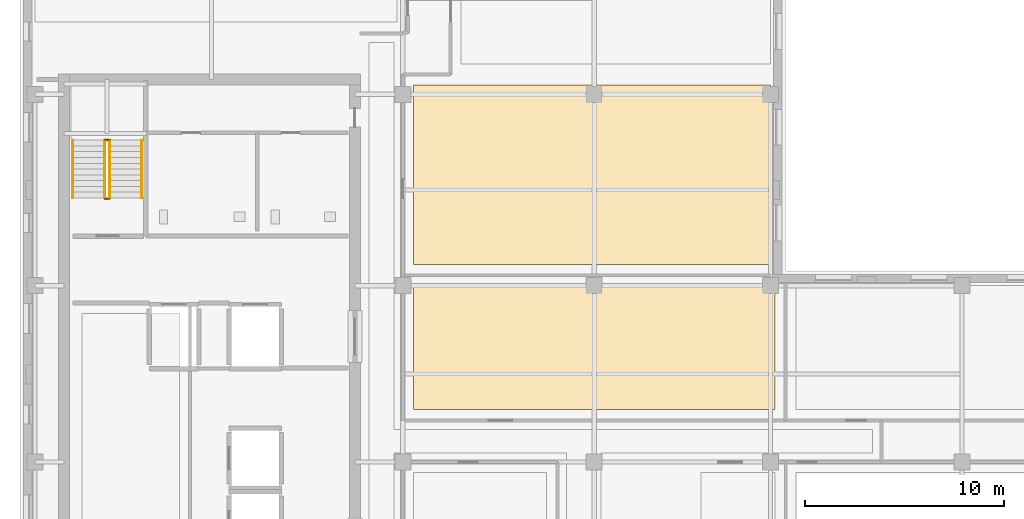
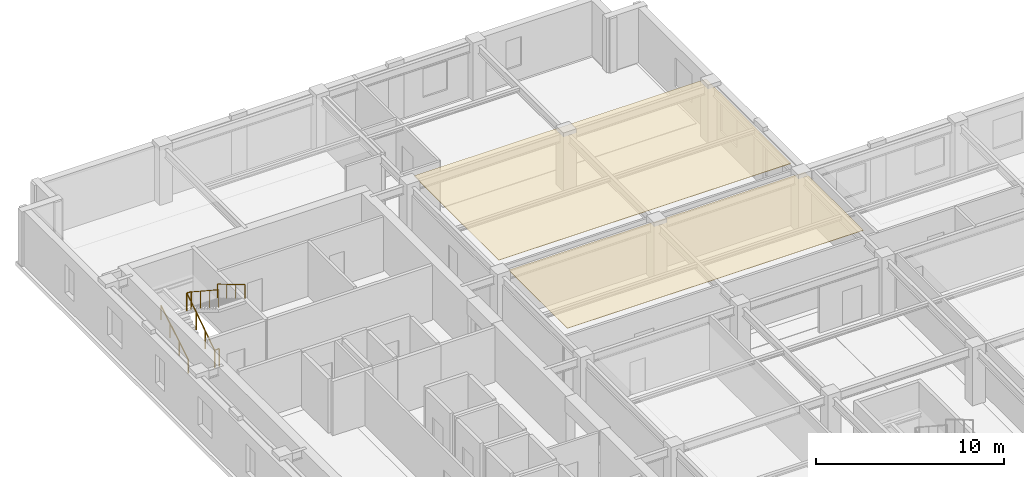
# One storey, part 10 of 12: 6 railings, 2 coverings.
"""IFC4 building model written with IfcOpenShell, lengths in metres."""

import ifcopenshell
import ifcopenshell.guid

model = None  # the IFC model being written
_history = None  # IfcOwnerHistory: only IFC2X3 demands one
_inside = {}  # id of a spatial element -> (the spatial element, [elements in it])
_under = {}  # id of a project, library or spatial element -> (it, [spatial elements below it])
_declared = {}  # id of a project -> (the project, [libraries it declares])
_typed = {}  # id of a type object -> (the type object, [elements of that type])
_made_of = {}  # id of a material, layer set ... -> (it, [elements and type objects made of it])


def new_model(schema):
    """Start an empty IFC model of exactly this schema.

    Asked for "IFC4X3", IfcOpenShell would pick the latest addendum, in which some entities
    have other attributes; the version numbers below select the first issue.
    IFC2X3 requires an IfcOwnerHistory on every rooted entity: one is made here for all.
    """
    global model, _history
    if schema == "IFC4X3":
        model = ifcopenshell.file(schema_version=(4, 3, 0, 0))
    else:
        model = ifcopenshell.file(schema=schema)
    _inside.clear()
    _under.clear()
    _declared.clear()
    _typed.clear()
    _made_of.clear()
    _history = None
    if model.schema == "IFC2X3":
        org = make("IfcOrganization", Name="unknown")
        user = make(
            "IfcPersonAndOrganization",
            ThePerson=make("IfcPerson", FamilyName="unknown"),
            TheOrganization=org,
        )
        app = make(
            "IfcApplication",
            ApplicationDeveloper=org,
            Version="unknown",
            ApplicationFullName="unknown",
            ApplicationIdentifier="unknown",
        )
        _history = make(
            "IfcOwnerHistory",
            OwningUser=user,
            OwningApplication=app,
            ChangeAction="ADDED",
            CreationDate=0,
        )
    return model


def make(cls, **values):
    """One entity of the class cls with the attributes given. An attribute that is None is left unset."""
    return model.create_entity(
        cls, **{name: value for name, value in values.items() if value is not None}
    )


def rooted(cls, **values):
    """An entity with a GlobalId (a new one), such as an element, a storey or a relation."""
    return make(cls, GlobalId=ifcopenshell.guid.new(), OwnerHistory=_history, **values)


def si_unit(unit_type, name, prefix=None):
    """IfcSIUnit, for example si_unit("LENGTHUNIT", "METRE", prefix="MILLI")."""
    return make("IfcSIUnit", UnitType=unit_type, Prefix=prefix, Name=name)


def assignment(units):
    """IfcUnitAssignment: the units of a project."""
    return None if units is None else make("IfcUnitAssignment", Units=units)


def point(xyz):
    """IfcCartesianPoint."""
    return None if xyz is None else make("IfcCartesianPoint", Coordinates=xyz)


def direction(xyz):
    """IfcDirection."""
    return None if xyz is None else make("IfcDirection", DirectionRatios=xyz)


def frame(location, z_axis=None, x_axis=None):
    """IfcAxis2Placement3D, a coordinate frame: its origin and axes. An axis left out is left unset."""
    return make(
        "IfcAxis2Placement3D",
        Location=point(location),
        Axis=direction(z_axis),
        RefDirection=direction(x_axis),
    )


def frame_2d(location, x_axis=None):
    """IfcAxis2Placement2D, a coordinate frame in the plane: its origin and x axis."""
    return make(
        "IfcAxis2Placement2D", Location=point(location), RefDirection=direction(x_axis)
    )


def origin():
    """The frame at (0, 0, 0) with its axes left unset."""
    return frame((0.0, 0.0, 0.0))


def origin_2d():
    """The frame at (0, 0) in the plane with its x axis left unset."""
    return frame_2d((0.0, 0.0))


def place(relative_to, where):
    """IfcLocalPlacement: puts the frame where relative to a parent placement (None: the world)."""
    return make(
        "IfcLocalPlacement", PlacementRelTo=relative_to, RelativePlacement=where
    )


def context(
    kind, dimensions, precision=None, world=None, true_north=None, identifier=None
):
    """IfcGeometricRepresentationContext, for example the 3D "Model" context."""
    return make(
        "IfcGeometricRepresentationContext",
        ContextIdentifier=identifier,
        ContextType=kind,
        CoordinateSpaceDimension=dimensions,
        Precision=precision,
        WorldCoordinateSystem=world,
        TrueNorth=true_north,
    )


def subcontext(parent, identifier, kind, view, scale=None):
    """IfcGeometricRepresentationSubContext, for example "Body" below "Model"."""
    return make(
        "IfcGeometricRepresentationSubContext",
        ContextIdentifier=identifier,
        ContextType=kind,
        ParentContext=parent,
        TargetScale=scale,
        TargetView=view,
    )


def project(units=None, contexts=None):
    """IfcProject with its units and contexts."""
    return rooted(
        "IfcProject",
        Name="project",
        RepresentationContexts=contexts,
        UnitsInContext=assignment(units),
    )


def spatial(cls, under=None, at=None, **own):
    """A site, building, storey or space (cls), placed at a placement, below another one or the project."""
    s = rooted(cls, ObjectPlacement=at, **own)
    if under is not None:
        _under.setdefault(under.id(), (under, []))[1].append(s)
    return s


def polyline(points):
    """IfcPolyline through the points."""
    return make("IfcPolyline", Points=[point(p) for p in points])


def profile(cls, at=None, kind="AREA", **sizes):
    """A parametric profile (cls). Its sizes go by their IFC names, for example OverallWidth=200.0."""
    return make(cls, ProfileType=kind, Position=at, **sizes)


def circle(**sizes):
    """IfcCircleProfileDef."""
    return profile("IfcCircleProfileDef", **sizes)


def outline(outer, holes=None, kind="AREA"):
    """IfcArbitraryClosedProfileDef: a profile drawn as a closed curve; with holes, ...WithVoids."""
    if holes is None:
        return make("IfcArbitraryClosedProfileDef", ProfileType=kind, OuterCurve=outer)
    return make(
        "IfcArbitraryProfileDefWithVoids",
        ProfileType=kind,
        OuterCurve=outer,
        InnerCurves=holes,
    )


def extrude(swept, where, along, depth):
    """IfcExtrudedAreaSolid: the profile swept, set in the frame where, extruded along a direction by depth."""
    return make(
        "IfcExtrudedAreaSolid",
        SweptArea=swept,
        Position=where,
        ExtrudedDirection=direction(along),
        Depth=depth,
    )


def shape(context_of_items, identifier, shape_type, items):
    """IfcShapeRepresentation: the items that make up one representation, for example the "Body"."""
    return make(
        "IfcShapeRepresentation",
        ContextOfItems=context_of_items,
        RepresentationIdentifier=identifier,
        RepresentationType=shape_type,
        Items=items,
    )


def material(Name=None, Category=None):
    """IfcMaterial."""
    return make("IfcMaterial", Name=Name, Category=Category)


def layer(
    of_material, thickness, ventilated=None, Name=None, Category=None, Priority=None
):
    """IfcMaterialLayer: one layer of a wall or slab, of a material (None: an air gap)."""
    return make(
        "IfcMaterialLayer",
        Material=of_material,
        LayerThickness=thickness,
        IsVentilated=ventilated,
        Name=Name,
        Category=Category,
        Priority=Priority,
    )


def layer_set(layers, Name=None):
    """IfcMaterialLayerSet."""
    return make("IfcMaterialLayerSet", MaterialLayers=layers, LayerSetName=Name)


def made_of(thing, what):
    """Note that an element or type object is made of a material, layer set ...; save() writes the relation."""
    if what is not None:
        _made_of.setdefault(what.id(), (what, []))[1].append(thing)
    return thing


def type_object(cls, material=None, **own):
    """A type object (cls), such as IfcWallType, which elements share."""
    return made_of(rooted(cls, **own), material)


def element(
    cls,
    number,
    at=None,
    inside=None,
    cuts=None,
    type_object=None,
    material=None,
    context=None,
    identifier="Body",
    shape_type=None,
    held_by="IfcProductDefinitionShape",
    body=None,
    shapes=None,
    **own,
):
    """One element of the class cls, such as IfcWall. Its Tag is "e" and its number.

    at: its placement. inside: the storey or other place that contains it. cuts: it is an
    opening in that element (IfcRelVoidsElement). A single representation is given by context,
    identifier, shape_type and body (its items); several are given by shapes. held_by: the class
    of the entity that holds the representations. save() writes the other relations.
    """
    e = rooted(cls, Tag="e%d" % number, ObjectPlacement=at, **own)
    if body is not None:
        shapes = [shape(context, identifier, shape_type, body)]
    if shapes is not None:
        e.Representation = make(held_by, Representations=shapes)
    if inside is not None:
        _inside.setdefault(inside.id(), (inside, []))[1].append(e)
    if cuts is not None:
        rooted(
            "IfcRelVoidsElement", RelatingBuildingElement=cuts, RelatedOpeningElement=e
        )
    if type_object is not None:
        _typed.setdefault(type_object.id(), (type_object, []))[1].append(e)
    return made_of(e, material)


def aggregate(whole, parts):
    """IfcRelAggregates: a whole, such as a stair, and the parts it consists of."""
    return rooted("IfcRelAggregates", RelatingObject=whole, RelatedObjects=parts)


def save(model, path):
    """Write the relations noted so far, then the file.

    IfcRelAggregates (storeys below a building ...), IfcRelContainedInSpatialStructure (elements
    in a storey), IfcRelDefinesByType, IfcRelAssociatesMaterial and IfcRelDeclares: one each for
    every whole, place, type object, material and project.
    """
    for whole, parts in _under.values():
        aggregate(whole, parts)
    for where, things in _inside.values():
        rooted(
            "IfcRelContainedInSpatialStructure",
            RelatedElements=things,
            RelatingStructure=where,
        )
    for kind, things in _typed.values():
        rooted("IfcRelDefinesByType", RelatedObjects=things, RelatingType=kind)
    for what, things in _made_of.values():
        rooted("IfcRelAssociatesMaterial", RelatedObjects=things, RelatingMaterial=what)
    for by, libraries in _declared.values():
        rooted("IfcRelDeclares", RelatingContext=by, RelatedDefinitions=libraries)
    model.write(path)


model = new_model("IFC4")

# Units and contexts
model_context = context("Model", 3, precision=1e-05, world=origin(), true_north=direction((0.0, 1.0)))
body_context = subcontext(model_context, "Body", "Model", "MODEL_VIEW")
ifc_project = project(units=[si_unit("LENGTHUNIT", "METRE"), si_unit("AREAUNIT", "SQUARE_METRE"), si_unit("VOLUMEUNIT", "CUBIC_METRE"), si_unit("PLANEANGLEUNIT", "RADIAN"), si_unit("MASSUNIT", "GRAM", prefix="KILO")], contexts=[model_context])

# Site, building, storey
site_placement = place(None, origin())
site = spatial("IfcSite", under=ifc_project, at=site_placement, CompositionType="ELEMENT")
building_placement = place(site_placement, origin())
building = spatial("IfcBuilding", under=site, at=building_placement, Name="Norrvale University Quadrangle", CompositionType="ELEMENT")
storey_placement = place(building_placement, frame((0.0, 0.0, 244.60009765625)))
storey = spatial("IfcBuildingStorey", under=building, at=storey_placement, Name="L62", CompositionType="ELEMENT", Elevation=244.60009765625)

# Coverings
ifc_material_1 = material(Name="Perforated Acoustic Mineral Ceiling")
ifc_layer = layer(ifc_material_1, 0.02490234375, Name="Perforated Acoustic Mineral Ceiling")
ifc_layer_set = layer_set([ifc_layer], Name="Perforated Acoustic Mineral Ceiling")
covering_type = type_object("IfcCoveringType", Name="Covering Acoustic Ceiling 25", PredefinedType="CEILING", material=ifc_layer_set)
covering_1_placement = place(storey_placement, frame((0.0, 0.0, 3.514892578125)))
element("IfcCovering", 1, at=covering_1_placement, inside=storey, type_object=covering_type, Name="Acoustic Ceiling RM-L62-ME01", PredefinedType="CEILING", context=body_context, shape_type="SweptSolid", body=[
    extrude(outline(polyline([(19.72998046875, 37.64990234375), (37.8701171875, 37.64990234375), (37.8701171875, 31.429931640625), (19.72998046875, 31.429931640625), (19.72998046875, 37.64990234375)])), origin(), (0.0, 0.0, 1.0), 0.02490234375),
])
covering_2_placement = place(storey_placement, frame((0.0, 0.0, 3.514892578125)))
element("IfcCovering", 2, at=covering_2_placement, inside=storey, type_object=covering_type, Name="Acoustic Ceiling RM-L62-MNE01", PredefinedType="CEILING", context=body_context, shape_type="SweptSolid", body=[
    extrude(outline(polyline([(19.72998046875, 47.719970703125), (37.64990234375, 47.719970703125), (37.64990234375, 38.7099609375), (19.72998046875, 38.7099609375), (19.72998046875, 47.719970703125)])), origin(), (0.0, 0.0, 1.0), 0.02490234375),
])

# Railings
ifc_material_2 = material(Name="Steel 350W Painted Balustrade", Category="steel")
railing_type_1 = type_object("IfcRailingType", Name="Railing Stair Guard 1100", PredefinedType="GUARDRAIL", material=ifc_material_2)
for number, where, name in (
    (3, (4.239990234375, 42.02001953125, 0.0), "Stair Floor Well Guard ST-02 L62"),
    (4, (4.239990234375, 44.97998046875, 1.89990234375), "Stair Mid-Landing Slot Guard ST-02 L62"),
):
    element("IfcRailing", number, at=place(storey_placement, frame(where)), inside=storey, type_object=railing_type_1, Name=name, PredefinedType="GUARDRAIL", context=body_context, shape_type="SweptSolid", body=[
        extrude(circle(Radius=0.02392578125, at=origin_2d()), frame((0.0, 0.0, 1.1259765625), z_axis=(1.0, 0.0, 0.0), x_axis=(0.0, 1.0, 0.0)), (0.0, 0.0, 1.0), 0.27001953125),
        extrude(circle(Radius=0.02099609375, at=origin_2d()), origin(), (0.0, 0.0, 1.0), 1.101806640625),
        extrude(circle(Radius=0.02099609375, at=origin_2d()), frame((0.27001953125, 0.0, 0.0)), (0.0, 0.0, 1.0), 1.101806640625),
    ])
railing_1_placement = place(storey_placement, frame((4.239990234375, 42.050048828125, 0.0)))
element("IfcRailing", 5, at=railing_1_placement, inside=storey, type_object=railing_type_1, Name="Stair Lower Flight Inner Guard ST-02 L62", PredefinedType="GUARDRAIL", context=body_context, shape_type="SweptSolid", body=[
    extrude(circle(Radius=0.02392578125, at=origin_2d()), frame((0.0, 0.0, 1.1259765625), z_axis=(0.0, 0.836465582154, 0.548019461216), x_axis=(-1.0, 0.0, 0.0)), (0.0, 0.0, 1.0), 3.466796875),
    extrude(circle(Radius=0.02099609375, at=origin_2d()), origin(), (0.0, 0.0, 1.0), 1.101806640625),
    extrude(circle(Radius=0.02099609375, at=origin_2d()), frame((0.0, 0.966552734375, 0.63330078125)), (0.0, 0.0, 1.0), 1.101806640625),
    extrude(circle(Radius=0.02099609375, at=origin_2d()), frame((0.0, 1.933349609375, 1.2666015625)), (0.0, 0.0, 1.0), 1.101806640625),
    extrude(circle(Radius=0.02099609375, at=origin_2d()), frame((0.0, 2.89990234375, 1.89990234375)), (0.0, 0.0, 1.0), 1.101806640625),
])
railing_2_placement = place(storey_placement, frame((4.510009765625, 44.949951171875, 1.89990234375)))
element("IfcRailing", 6, at=railing_2_placement, inside=storey, type_object=railing_type_1, Name="Stair Upper Flight Inner Guard ST-02 L62", PredefinedType="GUARDRAIL", context=body_context, shape_type="SweptSolid", body=[
    extrude(circle(Radius=0.02392578125, at=origin_2d()), frame((0.0, 0.0, 1.1259765625), z_axis=(0.0, -0.836465582154, 0.548019461216), x_axis=(1.0, 0.0, 0.0)), (0.0, 0.0, 1.0), 3.466796875),
    extrude(circle(Radius=0.02099609375, at=origin_2d()), origin(), (0.0, 0.0, 1.0), 1.101806640625),
    extrude(circle(Radius=0.02099609375, at=origin_2d()), frame((0.0, -0.966552734375, 0.63330078125)), (0.0, 0.0, 1.0), 1.101806640625),
    extrude(circle(Radius=0.02099609375, at=origin_2d()), frame((0.0, -1.933349609375, 1.2666015625)), (0.0, 0.0, 1.0), 1.101806640625),
    extrude(circle(Radius=0.02099609375, at=origin_2d()), frame((0.0, -2.89990234375, 1.89990234375)), (0.0, 0.0, 1.0), 1.101806640625),
])
ifc_material_3 = material(Name="Stainless Steel 316L Handrail", Category="steel")
railing_type_2 = type_object("IfcRailingType", Name="Railing Stair Handrail 920", PredefinedType="HANDRAIL", material=ifc_material_3)
railing_3_placement = place(storey_placement, frame((2.639892578125, 42.050048828125, 0.172607421875)))
element("IfcRailing", 7, at=railing_3_placement, inside=storey, type_object=railing_type_2, Name="Stair Lower Flight Handrail ST-02 L62", PredefinedType="HANDRAIL", context=body_context, shape_type="SweptSolid", body=[
    extrude(circle(Radius=0.02392578125, at=origin_2d()), frame((0.0, 0.0, 0.89599609375), z_axis=(0.0, 0.859141464434, 0.511738159696), x_axis=(-1.0, 0.0, 0.0)), (0.0, 0.0, 1.0), 3.375244140625),
    extrude(circle(Radius=0.02099609375, at=origin_2d()), origin(), (0.0, 0.0, 1.0), 0.871826171875),
    extrude(circle(Radius=0.02099609375, at=origin_2d()), frame((0.0, 0.966552734375, 0.57568359375)), (0.0, 0.0, 1.0), 0.871826171875),
    extrude(circle(Radius=0.02099609375, at=origin_2d()), frame((0.0, 1.933349609375, 1.151611328125)), (0.0, 0.0, 1.0), 0.871826171875),
    extrude(circle(Radius=0.02099609375, at=origin_2d()), frame((0.0, 2.89990234375, 1.727294921875)), (0.0, 0.0, 1.0), 0.871826171875),
])
railing_4_placement = place(storey_placement, frame((6.110107421875, 44.949951171875, 2.072509765625)))
element("IfcRailing", 8, at=railing_4_placement, inside=storey, type_object=railing_type_2, Name="Stair Upper Flight Handrail ST-02 L62", PredefinedType="HANDRAIL", context=body_context, shape_type="SweptSolid", body=[
    extrude(circle(Radius=0.02392578125, at=origin_2d()), frame((0.0, 0.0, 0.89599609375), z_axis=(0.0, -0.859141464434, 0.511738159696), x_axis=(1.0, 0.0, 0.0)), (0.0, 0.0, 1.0), 3.375244140625),
    extrude(circle(Radius=0.02099609375, at=origin_2d()), origin(), (0.0, 0.0, 1.0), 0.871826171875),
    extrude(circle(Radius=0.02099609375, at=origin_2d()), frame((0.0, -0.966552734375, 0.57568359375)), (0.0, 0.0, 1.0), 0.871826171875),
    extrude(circle(Radius=0.02099609375, at=origin_2d()), frame((0.0, -1.933349609375, 1.151611328125)), (0.0, 0.0, 1.0), 0.871826171875),
    extrude(circle(Radius=0.02099609375, at=origin_2d()), frame((0.0, -2.89990234375, 1.727294921875)), (0.0, 0.0, 1.0), 0.871826171875),
])

save(model, "model.ifc")
